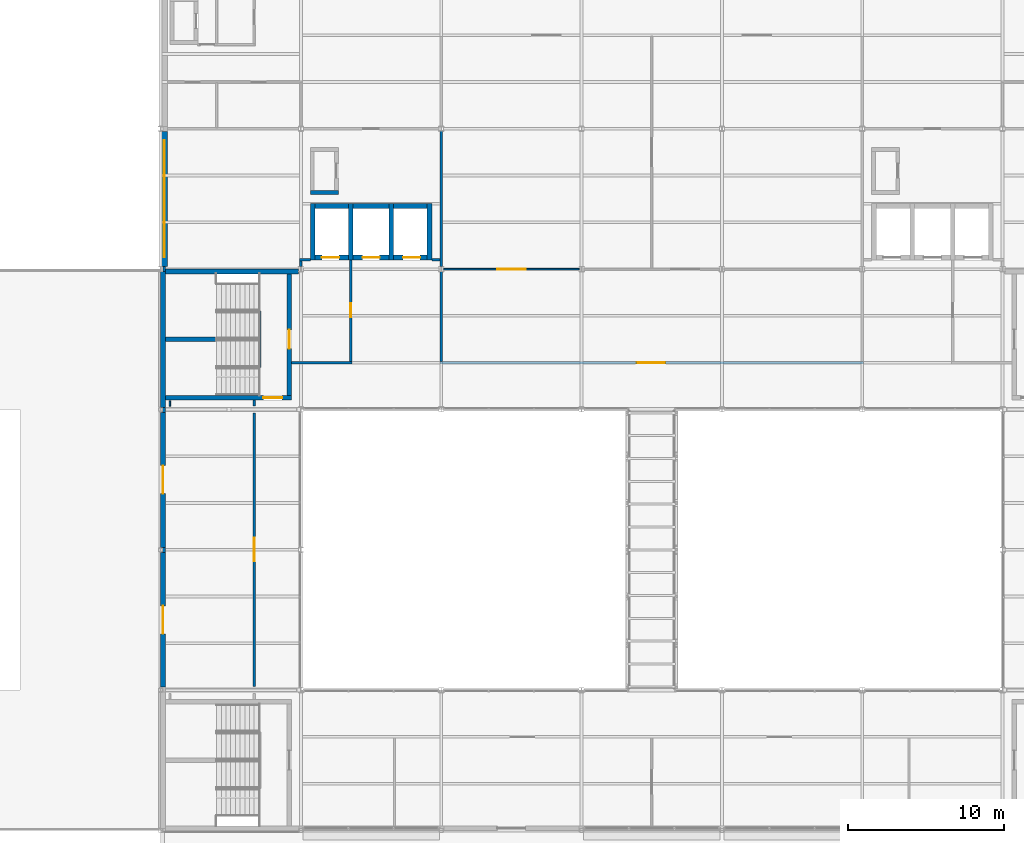
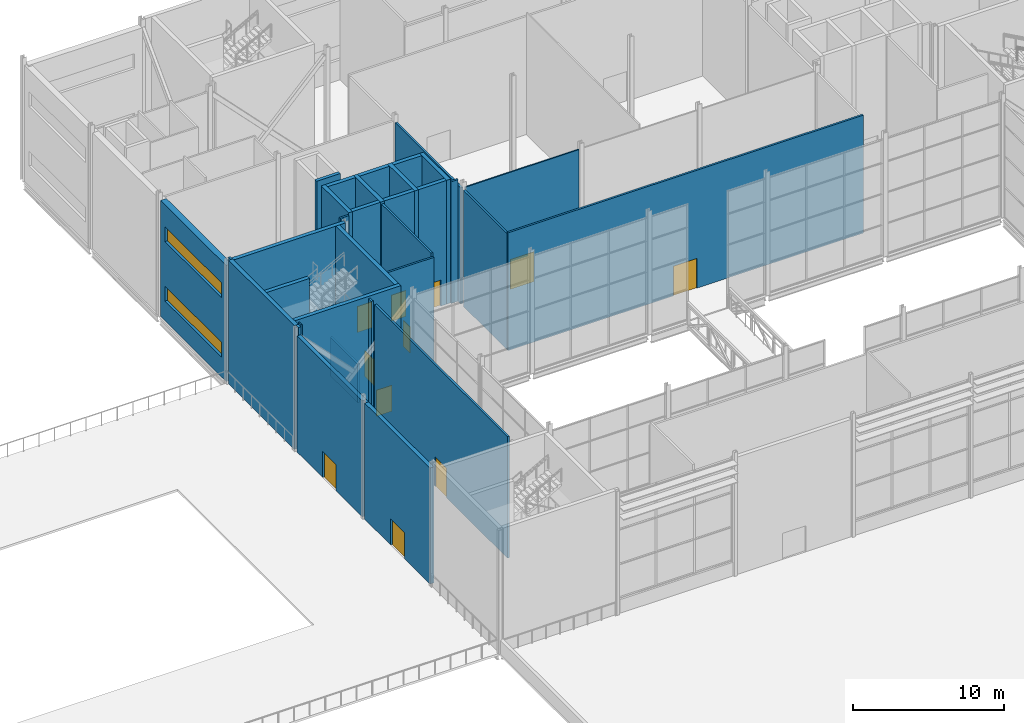
# One storey, part 89 of 111: 35 walls, 11 doors, 2 windows, 13 openings.
"""IFC4 building model written with IfcOpenShell, lengths in metres."""

from ifc_helpers import new_model, si_unit, direction, frame, frame_2d, origin, place, context, subcontext, project, spatial, rectangle, extrude, material, layer, layer_set, type_object, element, fill, save


model = new_model("IFC4")

# Units and contexts
model_context = context("Model", 3, precision=1e-05, world=origin(), true_north=direction((0.0, 1.0)))
body_context = subcontext(model_context, "Body", "Model", "MODEL_VIEW")
ifc_project = project(units=[si_unit("LENGTHUNIT", "METRE"), si_unit("AREAUNIT", "SQUARE_METRE"), si_unit("VOLUMEUNIT", "CUBIC_METRE"), si_unit("PLANEANGLEUNIT", "RADIAN"), si_unit("MASSUNIT", "GRAM", prefix="KILO")], contexts=[model_context])

# Site, building, storey
site_placement = place(None, origin())
site = spatial("IfcSite", under=ifc_project, at=site_placement, CompositionType="ELEMENT")
building_placement = place(site_placement, origin())
building = spatial("IfcBuilding", under=site, at=building_placement, Name="Shorebreak Coast Museum", CompositionType="ELEMENT")
storey_placement = place(building_placement, frame((0.0, 0.0, 16.0)))
storey = spatial("IfcBuildingStorey", under=building, at=storey_placement, Name="L03", CompositionType="ELEMENT", Elevation=16.0)

# Walls
ifc_material_1 = material(Name="Concrete N50 (50 MPa)", Category="concrete")
ifc_layer_1 = layer(ifc_material_1, 0.14453125)
ifc_layer_set_1 = layer_set([ifc_layer_1], Name="Concrete N50 (50 MPa)")
wall_type_1 = type_object("IfcWallType", Name="Column closure panel 144", PredefinedType="SOLIDWALL", material=ifc_layer_set_1)
wall_1_placement = place(storey_placement, frame((54.227783203125, 89.83642578125, 0.0), z_axis=(0.0, 0.0, 1.0), x_axis=(0.0, 1.0, 0.0)))
element("IfcWall", 1, at=wall_1_placement, inside=storey, type_object=wall_type_1, Name="Column closure panel L03 W 7L", PredefinedType="SOLIDWALL", context=body_context, shape_type="SweptSolid", body=[
    extrude(rectangle(XDim=0.3271484375, YDim=0.14453125, at=frame_2d((0.16357421875, 0.0))), origin(), (0.0, 0.0, 1.0), 10.0),
])
ifc_material_2 = material(Name="Concrete N50 (50 MPa)", Category="concrete")
ifc_layer_2 = layer(ifc_material_2, 0.175048828125)
ifc_layer_set_2 = layer_set([ifc_layer_2], Name="Concrete N50 (50 MPa)")
wall_type_2 = type_object("IfcWallType", Name="Column closure panel 175", PredefinedType="SOLIDWALL", material=ifc_layer_set_2)
wall_2_placement = place(storey_placement, frame((54.21240234375, 71.839111328125, 0.0), z_axis=(0.0, 0.0, 1.0), x_axis=(0.0, 1.0, 0.0)))
element("IfcWall", 2, at=wall_2_placement, inside=storey, type_object=wall_type_2, Name="Column closure panel L03 W 7J", PredefinedType="SOLIDWALL", context=body_context, shape_type="SweptSolid", body=[
    extrude(rectangle(XDim=0.32177734375, YDim=0.175048828125, at=frame_2d((0.160888671875, 0.0))), origin(), (0.0, 0.0, 1.0), 9.37109375),
])
wall_3_placement = place(storey_placement, frame((54.21240234375, 80.802978515625, 0.0), z_axis=(0.0, 0.0, 1.0), x_axis=(0.0, 1.0, 0.0)))
element("IfcWall", 3, at=wall_3_placement, inside=storey, type_object=wall_type_2, Name="Column closure panel L03 W 7K", PredefinedType="SOLIDWALL", context=body_context, shape_type="SweptSolid", body=[
    extrude(rectangle(XDim=0.322021484375, YDim=0.175048828125, at=frame_2d((0.1611328125, 0.0))), origin(), (0.0, 0.0, 1.0), 10.0),
])

# Wall, openings, windows
ifc_material_3 = material(Name="Concrete N50 (50 MPa)", Category="concrete")
ifc_layer_3 = layer(ifc_material_3, 0.449951171875)
ifc_layer_set_3 = layer_set([ifc_layer_3], Name="Concrete N50 (50 MPa)")
wall_type_3 = type_object("IfcWallType", Name="Deep-set precast panel 450", PredefinedType="SOLIDWALL", material=ifc_layer_set_3)
wall_4_placement = place(storey_placement, frame((54.22509765625, 90.16357421875, 0.0), z_axis=(0.0, 0.0, 1.0), x_axis=(0.0, 1.0, 0.0)))
wall_4 = element("IfcWall", 4, at=wall_4_placement, inside=storey, type_object=wall_type_3, Name="External wall L03 W 7L", PredefinedType="SOLIDWALL", context=body_context, shape_type="SweptSolid", body=[
    extrude(rectangle(XDim=8.675537109375, YDim=0.449951171875, at=frame_2d((4.337890625, 0.0))), origin(), (0.0, 0.0, 1.0), 9.37109375),
])
opening_1_placement = place(wall_4_placement, frame((0.58642578125, 0.0, 6.39990234375)))
opening_1 = element("IfcOpeningElement", 5, at=opening_1_placement, cuts=wall_4, Name="Opening WN3043", PredefinedType="OPENING", context=body_context, shape_type="SweptSolid", body=[
    extrude(rectangle(XDim=7.5, YDim=1.199951171875, at=frame_2d((3.75, 0.60009765625))), frame((0.0, 0.23486328125, 0.0), z_axis=(0.0, -1.0, 0.0), x_axis=(1.0, 0.0, 0.0)), (0.0, 0.0, 1.0), 0.469970703125),
])
opening_2_placement = place(wall_4_placement, frame((0.58642578125, 0.0, 1.60009765625)))
opening_2 = element("IfcOpeningElement", 6, at=opening_2_placement, cuts=wall_4, Name="Opening WN3042", PredefinedType="OPENING", context=body_context, shape_type="SweptSolid", body=[
    extrude(rectangle(XDim=7.5, YDim=1.199951171875, at=frame_2d((3.75, 0.60009765625))), frame((0.0, 0.23486328125, 0.0), z_axis=(0.0, -1.0, 0.0), x_axis=(1.0, 0.0, 0.0)), (0.0, 0.0, 1.0), 0.469970703125),
])
ifc_material_4 = material(Name="Aluminium", Category="aluminium")
window_type_1 = type_object("IfcWindowType", Name="Ribbon window 7500 x 1200", PartitioningType="SINGLE_PANEL", PredefinedType="WINDOW", material=ifc_material_4)
window_1_placement = place(opening_2_placement, origin())
window_1 = element("IfcWindow", 7, at=window_1_placement, inside=storey, type_object=window_type_1, Name="Window WN3042", OverallHeight=1.199951171875, OverallWidth=7.5, PartitioningType="SINGLE_PANEL", PredefinedType="WINDOW", context=body_context, shape_type="SweptSolid", body=[
    extrude(rectangle(XDim=7.5, YDim=1.199951171875, at=frame_2d((3.75, 0.60009765625))), frame((0.0, 0.030029296875, 0.0), z_axis=(0.0, -1.0, 0.0), x_axis=(1.0, 0.0, 0.0)), (0.0, 0.0, 1.0), 0.06005859375),
])
fill(opening_2, window_1)
ifc_material_5 = material(Name="Aluminium", Category="aluminium")
window_type_2 = type_object("IfcWindowType", Name="Upper ribbon window 7500 x 1200", PartitioningType="SINGLE_PANEL", PredefinedType="WINDOW", material=ifc_material_5)
window_2_placement = place(opening_1_placement, origin())
window_2 = element("IfcWindow", 8, at=window_2_placement, inside=storey, type_object=window_type_2, Name="Window WN3043", OverallHeight=1.199951171875, OverallWidth=7.5, PartitioningType="SINGLE_PANEL", PredefinedType="WINDOW", context=body_context, shape_type="SweptSolid", body=[
    extrude(rectangle(XDim=7.5, YDim=1.199951171875, at=frame_2d((3.75, 0.60009765625))), frame((0.0, 0.030029296875, 0.0), z_axis=(0.0, -1.0, 0.0), x_axis=(1.0, 0.0, 0.0)), (0.0, 0.0, 1.0), 0.06005859375),
])
fill(opening_1, window_2)

# Wall
ifc_material_6 = material(Name="Plasterboard on steel stud", Category="steel")
ifc_layer_4 = layer(ifc_material_6, 0.14990234375)
ifc_layer_set_4 = layer_set([ifc_layer_4], Name="Plasterboard on steel stud")
wall_type_4 = type_object("IfcWallType", Name="Fire partition 150", PredefinedType="PARTITIONING", material=ifc_layer_set_4)
wall_5_placement = place(storey_placement, frame((62.39990234375, 84.0, 0.0), z_axis=(0.0, 0.0, 1.0), x_axis=(1.0, 0.0, 0.0)))
element("IfcWall", 9, at=wall_5_placement, inside=storey, type_object=wall_type_4, Name="Partition L03-016", PredefinedType="PARTITIONING", context=body_context, shape_type="SweptSolid", body=[
    extrude(rectangle(XDim=3.875, YDim=0.14990234375, at=frame_2d((1.9375, 0.0))), origin(), (0.0, 0.0, 1.0), 9.52099609375),
])

# Wall, opening, door
wall_6_placement = place(storey_placement, frame((71.925048828125, 84.0, 0.0), z_axis=(0.0, 0.0, 1.0), x_axis=(1.0, 0.0, 0.0)))
wall_6 = element("IfcWall", 10, at=wall_6_placement, inside=storey, type_object=wall_type_4, Name="Partition L03-017", PredefinedType="PARTITIONING", context=body_context, shape_type="SweptSolid", body=[
    extrude(rectangle(XDim=27.14990234375, YDim=0.14990234375, at=frame_2d((13.574951171875, 0.0))), origin(), (0.0, 0.0, 1.0), 9.52099609375),
])
opening_3_placement = place(wall_6_placement, frame((12.625, 0.0, 0.0)))
opening_3 = element("IfcOpeningElement", 11, at=opening_3_placement, cuts=wall_6, Name="Opening D3005", PredefinedType="OPENING", context=body_context, shape_type="SweptSolid", body=[
    extrude(rectangle(XDim=1.800048828125, YDim=2.39990234375, at=frame_2d((0.89990234375, 1.199951171875))), frame((0.0, 0.0849609375, 0.0), z_axis=(0.0, -1.0, 0.0), x_axis=(1.0, 0.0, 0.0)), (0.0, 0.0, 1.0), 0.169921875),
])
ifc_material_7 = material(Name="Steel", Category="steel")
door_type_1 = type_object("IfcDoorType", Name="Fire door 1800x2400 60", OperationType="DOUBLE_DOOR_SINGLE_SWING", PredefinedType="DOOR", material=ifc_material_7)
door_1_placement = place(opening_3_placement, origin())
door_1 = element("IfcDoor", 12, at=door_1_placement, inside=storey, type_object=door_type_1, Name="Door D3005 Permanent Gallery 3.01", OperationType="DOUBLE_DOOR_SINGLE_SWING", OverallHeight=2.39990234375, OverallWidth=1.800048828125, PredefinedType="DOOR", context=body_context, shape_type="SweptSolid", body=[
    extrude(rectangle(XDim=1.800048828125, YDim=2.39990234375, at=frame_2d((0.89990234375, 1.199951171875))), frame((0.0, 0.02490234375, 0.0), z_axis=(0.0, -1.0, 0.0), x_axis=(1.0, 0.0, 0.0)), (0.0, 0.0, 1.0), 0.050048828125),
])
fill(opening_3, door_1)

# Walls
wall_7_placement = place(storey_placement, frame((62.925048828125, 90.60009765625, 0.0), z_axis=(0.0, 0.0, 1.0), x_axis=(1.0, 0.0, 0.0)))
element("IfcWall", 13, at=wall_7_placement, inside=storey, type_object=wall_type_4, Name="Partition L03-022", PredefinedType="PARTITIONING", context=body_context, shape_type="SweptSolid", body=[
    extrude(rectangle(XDim=0.675048828125, YDim=0.14990234375, at=frame_2d((0.33740234375, 0.0))), origin(), (0.0, 0.0, 1.0), 9.824951171875),
])
wall_8_placement = place(storey_placement, frame((71.39990234375, 90.60009765625, 0.0), z_axis=(0.0, 0.0, 1.0), x_axis=(1.0, 0.0, 0.0)))
element("IfcWall", 14, at=wall_8_placement, inside=storey, type_object=wall_type_4, Name="Partition L03-023", PredefinedType="PARTITIONING", context=body_context, shape_type="SweptSolid", body=[
    extrude(rectangle(XDim=0.525146484375, YDim=0.14990234375, at=frame_2d((0.2626953125, 0.0))), origin(), (0.0, 0.0, 1.0), 9.824951171875),
])

# Wall, opening, door
wall_9_placement = place(storey_placement, frame((60.0, 63.219970703125, 0.0), z_axis=(0.0, 0.0, 1.0), x_axis=(0.0, 1.0, 0.0)))
wall_9 = element("IfcWall", 15, at=wall_9_placement, inside=storey, type_object=wall_type_4, Name="Partition L03-045", PredefinedType="PARTITIONING", context=body_context, shape_type="SweptSolid", body=[
    extrude(rectangle(XDim=17.56005859375, YDim=0.14990234375, at=frame_2d((8.780029296875, 0.0))), origin(), (0.0, 0.0, 1.0), 9.824951171875),
])
opening_4_placement = place(wall_9_placement, frame((8.050048828125, 0.0, 0.0)))
opening_4 = element("IfcOpeningElement", 16, at=opening_4_placement, cuts=wall_9, Name="Opening D3006", PredefinedType="OPENING", context=body_context, shape_type="SweptSolid", body=[
    extrude(rectangle(XDim=1.5, YDim=2.39990234375, at=frame_2d((0.75, 1.199951171875))), frame((0.0, 0.0849609375, 0.0), z_axis=(0.0, -1.0, 0.0), x_axis=(1.0, 0.0, 0.0)), (0.0, 0.0, 1.0), 0.169921875),
])
ifc_material_8 = material(Name="Steel", Category="steel")
door_type_2 = type_object("IfcDoorType", Name="Fire door 1500x2400 60", OperationType="DOUBLE_DOOR_SINGLE_SWING", PredefinedType="DOOR", material=ifc_material_8)
door_2_placement = place(opening_4_placement, origin())
door_2 = element("IfcDoor", 17, at=door_2_placement, inside=storey, type_object=door_type_2, Name="Door D3006 Family Gallery", OperationType="DOUBLE_DOOR_SINGLE_SWING", OverallHeight=2.39990234375, OverallWidth=1.5, PredefinedType="DOOR", context=body_context, shape_type="SweptSolid", body=[
    extrude(rectangle(XDim=1.5, YDim=2.39990234375, at=frame_2d((0.75, 1.199951171875))), frame((0.0, 0.02490234375, 0.0), z_axis=(0.0, -1.0, 0.0), x_axis=(1.0, 0.0, 0.0)), (0.0, 0.0, 1.0), 0.050048828125),
])
fill(opening_4, door_2)

# Walls
wall_10_placement = place(storey_placement, frame((60.0, 81.219970703125, 0.0), z_axis=(0.0, 0.0, 1.0), x_axis=(0.0, 1.0, 0.0)))
element("IfcWall", 18, at=wall_10_placement, inside=storey, type_object=wall_type_4, Name="Partition L03-046", PredefinedType="PARTITIONING", context=body_context, shape_type="SweptSolid", body=[
    extrude(rectangle(XDim=0.380126953125, YDim=0.14990234375, at=frame_2d((0.18994140625, 0.0))), origin(), (0.0, 0.0, 1.0), 9.824951171875),
])
wall_11_placement = place(storey_placement, frame((63.0, 90.16357421875, 0.0), z_axis=(0.0, 0.0, 1.0), x_axis=(0.0, 1.0, 0.0)))
element("IfcWall", 19, at=wall_11_placement, inside=storey, type_object=wall_type_4, Name="Partition L03-048", PredefinedType="PARTITIONING", context=body_context, shape_type="SweptSolid", body=[
    extrude(rectangle(XDim=0.361328125, YDim=0.14990234375, at=frame_2d((0.1806640625, 0.0))), origin(), (0.0, 0.0, 1.0), 9.824951171875),
])

# Wall, opening, door
wall_12_placement = place(storey_placement, frame((66.199951171875, 84.074951171875, 0.0), z_axis=(0.0, 0.0, 1.0), x_axis=(0.0, 1.0, 0.0)))
wall_12 = element("IfcWall", 20, at=wall_12_placement, inside=storey, type_object=wall_type_4, Name="Partition L03-051", PredefinedType="PARTITIONING", context=body_context, shape_type="SweptSolid", body=[
    extrude(rectangle(XDim=6.525146484375, YDim=0.14990234375, at=frame_2d((3.2626953125, 0.0))), origin(), (0.0, 0.0, 1.0), 9.824951171875),
])
opening_5_placement = place(wall_12_placement, frame((2.85009765625, 0.0, 0.0)))
opening_5 = element("IfcOpeningElement", 21, at=opening_5_placement, cuts=wall_12, Name="Opening D3001", PredefinedType="OPENING", context=body_context, shape_type="SweptSolid", body=[
    extrude(rectangle(XDim=0.89990234375, YDim=2.10009765625, at=frame_2d((0.449951171875, 1.050048828125))), frame((0.0, 0.0849609375, 0.0), z_axis=(0.0, -1.0, 0.0), x_axis=(1.0, 0.0, 0.0)), (0.0, 0.0, 1.0), 0.169921875),
])
ifc_material_9 = material(Name="Steel", Category="steel")
door_type_3 = type_object("IfcDoorType", Name="Fire door 900x2100 60", OperationType="SINGLE_SWING_LEFT", PredefinedType="DOOR", material=ifc_material_9)
door_3_placement = place(opening_5_placement, origin())
door_3 = element("IfcDoor", 22, at=door_3_placement, inside=storey, type_object=door_type_3, Name="Door D3001 Firefighting Lift Lobby W", OperationType="SINGLE_SWING_LEFT", OverallHeight=2.10009765625, OverallWidth=0.89990234375, PredefinedType="DOOR", context=body_context, shape_type="SweptSolid", body=[
    extrude(rectangle(XDim=0.89990234375, YDim=2.10009765625, at=frame_2d((0.449951171875, 1.050048828125))), frame((0.0, 0.02490234375, 0.0), z_axis=(0.0, -1.0, 0.0), x_axis=(1.0, 0.0, 0.0)), (0.0, 0.0, 1.0), 0.050048828125),
])
fill(opening_5, door_3)

# Walls
wall_13_placement = place(storey_placement, frame((72.0, 84.074951171875, 0.0), z_axis=(0.0, 0.0, 1.0), x_axis=(0.0, 1.0, 0.0)))
element("IfcWall", 23, at=wall_13_placement, inside=storey, type_object=wall_type_4, Name="Partition L03-053", PredefinedType="PARTITIONING", context=body_context, shape_type="SweptSolid", body=[
    extrude(rectangle(XDim=5.761474609375, YDim=0.14990234375, at=frame_2d((2.880859375, 0.0))), origin(), (0.0, 0.0, 1.0), 9.37109375),
])
wall_14_placement = place(storey_placement, frame((72.0, 90.16357421875, 0.0), z_axis=(0.0, 0.0, 1.0), x_axis=(0.0, 1.0, 0.0)))
element("IfcWall", 24, at=wall_14_placement, inside=storey, type_object=wall_type_4, Name="Partition L03-054", PredefinedType="PARTITIONING", context=body_context, shape_type="SweptSolid", body=[
    extrude(rectangle(XDim=8.682373046875, YDim=0.14990234375, at=frame_2d((4.34130859375, 0.0))), origin(), (0.0, 0.0, 1.0), 9.37109375),
])

# Wall, opening, door
ifc_material_10 = material(Name="Plasterboard on steel stud", Category="steel")
ifc_layer_5 = layer(ifc_material_10, 0.10009765625)
ifc_layer_set_5 = layer_set([ifc_layer_5], Name="Plasterboard on steel stud")
wall_type_5 = type_object("IfcWallType", Name="Partition 100", PredefinedType="PARTITIONING", material=ifc_layer_set_5)
wall_15_placement = place(storey_placement, frame((72.155517578125, 90.0, 0.0), z_axis=(0.0, 0.0, 1.0), x_axis=(1.0, 0.0, 0.0)))
wall_15 = element("IfcWall", 25, at=wall_15_placement, inside=storey, type_object=wall_type_5, Name="Partition L03-019", PredefinedType="PARTITIONING", context=body_context, shape_type="SweptSolid", body=[
    extrude(rectangle(XDim=8.68896484375, YDim=0.10009765625, at=frame_2d((4.344482421875, 0.0))), origin(), (0.0, 0.0, 1.0), 9.472900390625),
])
opening_6_placement = place(wall_15_placement, frame((3.449951171875, 0.0, 0.0)))
opening_6 = element("IfcOpeningElement", 26, at=opening_6_placement, cuts=wall_15, Name="Opening D3031", PredefinedType="OPENING", context=body_context, shape_type="SweptSolid", body=[
    extrude(rectangle(XDim=1.800048828125, YDim=2.39990234375, at=frame_2d((0.89990234375, 1.199951171875))), frame((0.0, 0.06005859375, 0.0), z_axis=(0.0, -1.0, 0.0), x_axis=(1.0, 0.0, 0.0)), (0.0, 0.0, 1.0), 0.1201171875),
])
ifc_material_11 = material(Name="Timber", Category="wood")
door_type_4 = type_object("IfcDoorType", Name="Interior door 1800x2400", OperationType="DOUBLE_DOOR_SINGLE_SWING", PredefinedType="DOOR", material=ifc_material_11)
door_4_placement = place(opening_6_placement, origin())
door_4 = element("IfcDoor", 27, at=door_4_placement, inside=storey, type_object=door_type_4, Name="Door D3031 Permanent Gallery 3.01", OperationType="DOUBLE_DOOR_SINGLE_SWING", OverallHeight=2.39990234375, OverallWidth=1.800048828125, PredefinedType="DOOR", context=body_context, shape_type="SweptSolid", body=[
    extrude(rectangle(XDim=1.800048828125, YDim=2.39990234375, at=frame_2d((0.89990234375, 1.199951171875))), frame((0.0, 0.02490234375, 0.0), z_axis=(0.0, -1.0, 0.0), x_axis=(1.0, 0.0, 0.0)), (0.0, 0.0, 1.0), 0.050048828125),
])
fill(opening_6, door_4)

# Wall
wall_16_placement = place(storey_placement, frame((54.60009765625, 81.219970703125, 0.0), z_axis=(0.0, 0.0, 1.0), x_axis=(0.0, 1.0, 0.0)))
element("IfcWall", 28, at=wall_16_placement, inside=storey, type_object=wall_type_5, Name="Partition L03-041", PredefinedType="PARTITIONING", context=body_context, shape_type="SweptSolid", body=[
    extrude(rectangle(XDim=0.330078125, YDim=0.10009765625, at=frame_2d((0.1650390625, 0.0))), origin(), (0.0, 0.0, 1.0), 9.824951171875),
])

# Wall, opening, door
ifc_material_12 = material(Name="Concrete N50 (50 MPa)", Category="concrete")
ifc_layer_6 = layer(ifc_material_12, 0.300048828125)
ifc_layer_set_6 = layer_set([ifc_layer_6], Name="Concrete N50 (50 MPa)")
wall_type_6 = type_object("IfcWallType", Name="Precast board-marked panel 300", PredefinedType="SOLIDWALL", material=ifc_layer_set_6)
wall_17_placement = place(storey_placement, frame((54.14990234375, 63.197021484375, 0.0), z_axis=(0.0, 0.0, 1.0), x_axis=(0.0, 1.0, 0.0)))
wall_17 = element("IfcWall", 29, at=wall_17_placement, inside=storey, type_object=wall_type_6, Name="External wall L03 W 7H", PredefinedType="SOLIDWALL", context=body_context, shape_type="SweptSolid", body=[
    extrude(rectangle(XDim=8.64208984375, YDim=0.300048828125, at=frame_2d((4.321044921875, 0.0))), origin(), (0.0, 0.0, 1.0), 9.37109375),
])
opening_7_placement = place(wall_17_placement, frame((3.403076171875, 0.0, 0.0)))
opening_7 = element("IfcOpeningElement", 30, at=opening_7_placement, cuts=wall_17, Name="Opening D0916", PredefinedType="OPENING", context=body_context, shape_type="SweptSolid", body=[
    extrude(rectangle(XDim=1.800048828125, YDim=2.10009765625, at=frame_2d((0.89990234375, 1.050048828125))), frame((0.0, 0.159912109375, 0.0), z_axis=(0.0, -1.0, 0.0), x_axis=(1.0, 0.0, 0.0)), (0.0, 0.0, 1.0), 0.320068359375),
])
ifc_material_13 = material(Name="Aluminium", Category="aluminium")
door_type_5 = type_object("IfcDoorType", Name="Garden door pair 1800 x 2100", OperationType="DOUBLE_DOOR_SINGLE_SWING", PredefinedType="DOOR", material=ifc_material_13)
door_5_placement = place(opening_7_placement, origin())
door_5 = element("IfcDoor", 31, at=door_5_placement, inside=storey, type_object=door_type_5, Name="Garden door RG-W1 D0916", OperationType="DOUBLE_DOOR_SINGLE_SWING", OverallHeight=2.10009765625, OverallWidth=1.800048828125, PredefinedType="DOOR", context=body_context, shape_type="SweptSolid", body=[
    extrude(rectangle(XDim=1.800048828125, YDim=2.10009765625, at=frame_2d((0.89990234375, 1.050048828125))), frame((0.0, 0.02490234375, 0.0), z_axis=(0.0, -1.0, 0.0), x_axis=(1.0, 0.0, 0.0)), (0.0, 0.0, 1.0), 0.050048828125),
])
fill(opening_7, door_5)

wall_18_placement = place(storey_placement, frame((54.14990234375, 72.160888671875, 0.0), z_axis=(0.0, 0.0, 1.0), x_axis=(0.0, 1.0, 0.0)))
wall_18 = element("IfcWall", 32, at=wall_18_placement, inside=storey, type_object=wall_type_6, Name="External wall L03 W 7J", PredefinedType="SOLIDWALL", context=body_context, shape_type="SweptSolid", body=[
    extrude(rectangle(XDim=8.64208984375, YDim=0.300048828125, at=frame_2d((4.321044921875, 0.0))), origin(), (0.0, 0.0, 1.0), 9.37109375),
])
opening_8_placement = place(wall_18_placement, frame((3.43896484375, 0.0, 0.0)))
opening_8 = element("IfcOpeningElement", 33, at=opening_8_placement, cuts=wall_18, Name="Opening D0917", PredefinedType="OPENING", context=body_context, shape_type="SweptSolid", body=[
    extrude(rectangle(XDim=1.800048828125, YDim=2.10009765625, at=frame_2d((0.89990234375, 1.050048828125))), frame((0.0, 0.159912109375, 0.0), z_axis=(0.0, -1.0, 0.0), x_axis=(1.0, 0.0, 0.0)), (0.0, 0.0, 1.0), 0.320068359375),
])
door_6_placement = place(opening_8_placement, origin())
door_6 = element("IfcDoor", 34, at=door_6_placement, inside=storey, type_object=door_type_5, Name="Garden door RG-W2 D0917", OperationType="DOUBLE_DOOR_SINGLE_SWING", OverallHeight=2.10009765625, OverallWidth=1.800048828125, PredefinedType="DOOR", context=body_context, shape_type="SweptSolid", body=[
    extrude(rectangle(XDim=1.800048828125, YDim=2.10009765625, at=frame_2d((0.89990234375, 1.050048828125))), frame((0.0, 0.02490234375, 0.0), z_axis=(0.0, -1.0, 0.0), x_axis=(1.0, 0.0, 0.0)), (0.0, 0.0, 1.0), 0.050048828125),
])
fill(opening_8, door_6)

# Wall
ifc_material_14 = material(Name="Concrete N50 (50 MPa)", Category="concrete")
ifc_layer_7 = layer(ifc_material_14, 0.25)
ifc_layer_set_7 = layer_set([ifc_layer_7], Name="Concrete N50 (50 MPa)")
wall_type_7 = type_object("IfcWallType", Name="RC riser wall 250", PredefinedType="STANDARD", material=ifc_layer_set_7)
wall_19_placement = place(storey_placement, frame((63.60009765625, 94.925048828125, 0.0), z_axis=(0.0, 0.0, 1.0), x_axis=(1.0, 0.0, 0.0)))
element("IfcWall", 35, at=wall_19_placement, inside=storey, type_object=wall_type_7, Name="Riser wall R-LBW L03 S", PredefinedType="STANDARD", context=body_context, shape_type="SweptSolid", body=[
    extrude(rectangle(XDim=1.7998046875, YDim=0.25, at=frame_2d((0.89990234375, 0.0))), origin(), (0.0, 0.0, 1.0), 10.0),
])

# Wall, opening, door
ifc_material_15 = material(Name="Concrete N50 (50 MPa)", Category="concrete")
ifc_layer_8 = layer(ifc_material_15, 0.300048828125)
ifc_layer_set_8 = layer_set([ifc_layer_8], Name="Concrete N50 (50 MPa)")
wall_type_8 = type_object("IfcWallType", Name="RC wall 300", PredefinedType="SHEAR", material=ifc_layer_set_8)
wall_20_placement = place(storey_placement, frame((54.300048828125, 81.75, 0.0), z_axis=(0.0, 0.0, 1.0), x_axis=(1.0, 0.0, 0.0)))
wall_20 = element("IfcWall", 36, at=wall_20_placement, inside=storey, type_object=wall_type_8, Name="Stair core wall ST03 L03 S", PredefinedType="SHEAR", context=body_context, shape_type="SweptSolid", body=[
    extrude(rectangle(XDim=8.099853515625, YDim=0.300048828125, at=frame_2d((4.0498046875, 0.0))), origin(), (0.0, 0.0, 1.0), 10.0),
])
opening_9_placement = place(wall_20_placement, frame((6.300048828125, 0.0, 0.0)))
opening_9 = element("IfcOpeningElement", 37, at=opening_9_placement, cuts=wall_20, Name="Opening D3703", PredefinedType="OPENING", context=body_context, shape_type="SweptSolid", body=[
    extrude(rectangle(XDim=1.199951171875, YDim=2.10009765625, at=frame_2d((0.60009765625, 1.050048828125))), frame((0.0, 0.159912109375, 0.0), z_axis=(0.0, -1.0, 0.0), x_axis=(1.0, 0.0, 0.0)), (0.0, 0.0, 1.0), 0.320068359375),
])
ifc_material_16 = material(Name="Steel Grade 300", Category="steel")
door_type_6 = type_object("IfcDoorType", Name="Fire door 1200x2100", OperationType="SINGLE_SWING_LEFT", PredefinedType="DOOR", material=ifc_material_16)
door_7_placement = place(opening_9_placement, origin())
door_7 = element("IfcDoor", 38, at=door_7_placement, inside=storey, type_object=door_type_6, Name="Stair door ST03 L03 south", OperationType="SINGLE_SWING_LEFT", OverallHeight=2.10009765625, OverallWidth=1.199951171875, PredefinedType="DOOR", context=body_context, shape_type="SweptSolid", body=[
    extrude(rectangle(XDim=1.199951171875, YDim=2.10009765625, at=frame_2d((0.60009765625, 1.050048828125))), frame((0.0, 0.02490234375, 0.0), z_axis=(0.0, -1.0, 0.0), x_axis=(1.0, 0.0, 0.0)), (0.0, 0.0, 1.0), 0.050048828125),
])
fill(opening_9, door_7)

# Walls
wall_21_placement = place(storey_placement, frame((54.300048828125, 89.85009765625, 0.0), z_axis=(0.0, 0.0, 1.0), x_axis=(1.0, 0.0, 0.0)))
element("IfcWall", 39, at=wall_21_placement, inside=storey, type_object=wall_type_8, Name="Stair core wall ST03 L03 N", PredefinedType="SHEAR", context=body_context, shape_type="SweptSolid", body=[
    extrude(rectangle(XDim=8.54443359375, YDim=0.300048828125, at=frame_2d((4.272216796875, 0.0))), origin(), (0.0, 0.0, 1.0), 10.0),
])
wall_22_placement = place(storey_placement, frame((54.14990234375, 81.125, 0.0), z_axis=(0.0, 0.0, 1.0), x_axis=(0.0, 1.0, 0.0)))
element("IfcWall", 40, at=wall_22_placement, inside=storey, type_object=wall_type_8, Name="Stair core wall ST03 L03 W", PredefinedType="SHEAR", context=body_context, shape_type="SweptSolid", body=[
    extrude(rectangle(XDim=8.71142578125, YDim=0.300048828125, at=frame_2d((4.355712890625, 0.0))), origin(), (0.0, 0.0, 1.0), 10.0),
])

# Wall, opening, door
wall_23_placement = place(storey_placement, frame((62.25, 81.89990234375, 0.0), z_axis=(0.0, 0.0, 1.0), x_axis=(0.0, 1.0, 0.0)))
wall_23 = element("IfcWall", 41, at=wall_23_placement, inside=storey, type_object=wall_type_8, Name="Stair core wall ST03 L03 E", PredefinedType="SHEAR", context=body_context, shape_type="SweptSolid", body=[
    extrude(rectangle(XDim=7.800048828125, YDim=0.300048828125, at=frame_2d((3.89990234375, 0.0))), origin(), (0.0, 0.0, 1.0), 10.0),
])
opening_10_placement = place(wall_23_placement, frame((3.0, 0.0, 0.0)))
opening_10 = element("IfcOpeningElement", 42, at=opening_10_placement, cuts=wall_23, Name="Opening D3803", PredefinedType="OPENING", context=body_context, shape_type="SweptSolid", body=[
    extrude(rectangle(XDim=1.199951171875, YDim=2.10009765625, at=frame_2d((0.60009765625, 1.050048828125))), frame((0.0, 0.159912109375, 0.0), z_axis=(0.0, -1.0, 0.0), x_axis=(1.0, 0.0, 0.0)), (0.0, 0.0, 1.0), 0.320068359375),
])
door_8_placement = place(opening_10_placement, origin())
door_8 = element("IfcDoor", 43, at=door_8_placement, inside=storey, type_object=door_type_6, Name="Stair door ST03 L03", OperationType="SINGLE_SWING_RIGHT", OverallHeight=2.10009765625, OverallWidth=1.199951171875, PredefinedType="DOOR", context=body_context, shape_type="SweptSolid", body=[
    extrude(rectangle(XDim=1.199951171875, YDim=2.10009765625, at=frame_2d((0.60009765625, 1.050048828125))), frame((0.0, 0.02490234375, 0.0), z_axis=(0.0, -1.0, 0.0), x_axis=(1.0, 0.0, 0.0)), (0.0, 0.0, 1.0), 0.050048828125),
])
fill(opening_10, door_8)

# Walls
wall_24_placement = place(storey_placement, frame((57.60009765625, 85.5, 0.0), z_axis=(0.0, 0.0, 1.0), x_axis=(-1.0, 0.0, 0.0)))
element("IfcWall", 44, at=wall_24_placement, inside=storey, type_object=wall_type_8, Name="Stair spine wall ST03 L03", PredefinedType="SHEAR", context=body_context, shape_type="SweptSolid", body=[
    extrude(rectangle(XDim=3.300048828125, YDim=0.300048828125, at=frame_2d((1.64990234375, 0.0))), origin(), (0.0, 0.0, 1.0), 10.0),
])
for number, where, z_axis, x_axis, name in (
    (45, (63.75, 90.60009765625, 0.0), (0.0, 0.0, 1.0), (0.0, 1.0, 0.0), "Lift shaft wall LBW L03 1"),
    (46, (66.199951171875, 90.60009765625, 0.0), (0.0, 0.0, 1.0), (0.0, 1.0, 0.0), "Lift shaft wall LBW L03 2"),
    (47, (68.800048828125, 90.60009765625, 0.0), (0.0, 0.0, 1.0), (0.0, 1.0, 0.0), "Lift shaft wall LBW L03 3"),
    (48, (71.25, 90.60009765625, 0.0), (0.0, 0.0, 1.0), (0.0, 1.0, 0.0), "Lift shaft wall LBW L03 4"),
):
    element("IfcWall", number, at=place(storey_placement, frame(where, z_axis=z_axis, x_axis=x_axis)), inside=storey, type_object=wall_type_8, Name=name, PredefinedType="SHEAR", context=body_context, shape_type="SweptSolid", body=[
        extrude(rectangle(XDim=3.599853515625, YDim=0.300048828125, at=frame_2d((1.7998046875, 0.0))), origin(), (0.0, 0.0, 1.0), 10.0),
    ])

# Wall, opening, door
wall_25_placement = place(storey_placement, frame((63.89990234375, 90.75, 0.0), z_axis=(0.0, 0.0, 1.0), x_axis=(1.0, 0.0, 0.0)))
wall_25 = element("IfcWall", 49, at=wall_25_placement, inside=storey, type_object=wall_type_8, Name="Lift shaft wall FL1 L03 F", PredefinedType="SHEAR", context=body_context, shape_type="SweptSolid", body=[
    extrude(rectangle(XDim=2.150146484375, YDim=0.300048828125, at=frame_2d((1.0751953125, 0.0))), origin(), (0.0, 0.0, 1.0), 10.0),
])
opening_11_placement = place(wall_25_placement, frame((0.449951171875, 0.0, 0.0)))
opening_11 = element("IfcOpeningElement", 50, at=opening_11_placement, cuts=wall_25, Name="Opening LD3-FL1", PredefinedType="OPENING", context=body_context, shape_type="SweptSolid", body=[
    extrude(rectangle(XDim=1.10009765625, YDim=2.10009765625, at=frame_2d((0.550048828125, 1.050048828125))), frame((0.0, 0.159912109375, 0.0), z_axis=(0.0, -1.0, 0.0), x_axis=(1.0, 0.0, 0.0)), (0.0, 0.0, 1.0), 0.320068359375),
])
ifc_material_17 = material(Name="Steel Grade 300", Category="steel")
door_type_7 = type_object("IfcDoorType", Name="Landing door 1100x2100", OperationType="DOUBLE_DOOR_SLIDING", PredefinedType="DOOR", material=ifc_material_17)
door_9_placement = place(opening_11_placement, origin())
door_9 = element("IfcDoor", 51, at=door_9_placement, inside=storey, type_object=door_type_7, Name="Landing door FL1 L03", OperationType="DOUBLE_DOOR_SLIDING", OverallHeight=2.10009765625, OverallWidth=1.10009765625, PredefinedType="DOOR", context=body_context, shape_type="SweptSolid", body=[
    extrude(rectangle(XDim=1.10009765625, YDim=2.10009765625, at=frame_2d((0.550048828125, 1.050048828125))), frame((0.0, 0.02490234375, 0.0), z_axis=(0.0, -1.0, 0.0), x_axis=(1.0, 0.0, 0.0)), (0.0, 0.0, 1.0), 0.050048828125),
])
fill(opening_11, door_9)

# Wall
wall_26_placement = place(storey_placement, frame((63.89990234375, 94.050048828125, 0.0), z_axis=(0.0, 0.0, 1.0), x_axis=(1.0, 0.0, 0.0)))
element("IfcWall", 52, at=wall_26_placement, inside=storey, type_object=wall_type_8, Name="Lift shaft wall FL1 L03 B", PredefinedType="SHEAR", context=body_context, shape_type="SweptSolid", body=[
    extrude(rectangle(XDim=2.150146484375, YDim=0.300048828125, at=frame_2d((1.0751953125, 0.0))), origin(), (0.0, 0.0, 1.0), 10.0),
])

# Wall, opening, door
wall_27_placement = place(storey_placement, frame((66.35009765625, 90.75, 0.0), z_axis=(0.0, 0.0, 1.0), x_axis=(1.0, 0.0, 0.0)))
wall_27 = element("IfcWall", 53, at=wall_27_placement, inside=storey, type_object=wall_type_8, Name="Lift shaft wall P1 L03 F", PredefinedType="SHEAR", context=body_context, shape_type="SweptSolid", body=[
    extrude(rectangle(XDim=2.2998046875, YDim=0.300048828125, at=frame_2d((1.14990234375, 0.0))), origin(), (0.0, 0.0, 1.0), 10.0),
])
opening_12_placement = place(wall_27_placement, frame((0.60009765625, 0.0, 0.0)))
opening_12 = element("IfcOpeningElement", 54, at=opening_12_placement, cuts=wall_27, Name="Opening LD3-P1", PredefinedType="OPENING", context=body_context, shape_type="SweptSolid", body=[
    extrude(rectangle(XDim=1.10009765625, YDim=2.10009765625, at=frame_2d((0.550048828125, 1.050048828125))), frame((0.0, 0.159912109375, 0.0), z_axis=(0.0, -1.0, 0.0), x_axis=(1.0, 0.0, 0.0)), (0.0, 0.0, 1.0), 0.320068359375),
])
door_10_placement = place(opening_12_placement, origin())
door_10 = element("IfcDoor", 55, at=door_10_placement, inside=storey, type_object=door_type_7, Name="Landing door P1 L03", OperationType="DOUBLE_DOOR_SLIDING", OverallHeight=2.10009765625, OverallWidth=1.10009765625, PredefinedType="DOOR", context=body_context, shape_type="SweptSolid", body=[
    extrude(rectangle(XDim=1.10009765625, YDim=2.10009765625, at=frame_2d((0.550048828125, 1.050048828125))), frame((0.0, 0.02490234375, 0.0), z_axis=(0.0, -1.0, 0.0), x_axis=(1.0, 0.0, 0.0)), (0.0, 0.0, 1.0), 0.050048828125),
])
fill(opening_12, door_10)

# Wall
wall_28_placement = place(storey_placement, frame((66.35009765625, 94.050048828125, 0.0), z_axis=(0.0, 0.0, 1.0), x_axis=(1.0, 0.0, 0.0)))
element("IfcWall", 56, at=wall_28_placement, inside=storey, type_object=wall_type_8, Name="Lift shaft wall P1 L03 B", PredefinedType="SHEAR", context=body_context, shape_type="SweptSolid", body=[
    extrude(rectangle(XDim=2.2998046875, YDim=0.300048828125, at=frame_2d((1.14990234375, 0.0))), origin(), (0.0, 0.0, 1.0), 10.0),
])

# Wall, opening, door
wall_29_placement = place(storey_placement, frame((68.949951171875, 90.75, 0.0), z_axis=(0.0, 0.0, 1.0), x_axis=(1.0, 0.0, 0.0)))
wall_29 = element("IfcWall", 57, at=wall_29_placement, inside=storey, type_object=wall_type_8, Name="Lift shaft wall P2 L03 F", PredefinedType="SHEAR", context=body_context, shape_type="SweptSolid", body=[
    extrude(rectangle(XDim=2.150146484375, YDim=0.300048828125, at=frame_2d((1.0751953125, 0.0))), origin(), (0.0, 0.0, 1.0), 10.0),
])
opening_13_placement = place(wall_29_placement, frame((0.60009765625, 0.0, 0.0)))
opening_13 = element("IfcOpeningElement", 58, at=opening_13_placement, cuts=wall_29, Name="Opening LD3-P2", PredefinedType="OPENING", context=body_context, shape_type="SweptSolid", body=[
    extrude(rectangle(XDim=1.10009765625, YDim=2.10009765625, at=frame_2d((0.550048828125, 1.050048828125))), frame((0.0, 0.159912109375, 0.0), z_axis=(0.0, -1.0, 0.0), x_axis=(1.0, 0.0, 0.0)), (0.0, 0.0, 1.0), 0.320068359375),
])
door_11_placement = place(opening_13_placement, origin())
door_11 = element("IfcDoor", 59, at=door_11_placement, inside=storey, type_object=door_type_7, Name="Landing door P2 L03", OperationType="DOUBLE_DOOR_SLIDING", OverallHeight=2.10009765625, OverallWidth=1.10009765625, PredefinedType="DOOR", context=body_context, shape_type="SweptSolid", body=[
    extrude(rectangle(XDim=1.10009765625, YDim=2.10009765625, at=frame_2d((0.550048828125, 1.050048828125))), frame((0.0, 0.02490234375, 0.0), z_axis=(0.0, -1.0, 0.0), x_axis=(1.0, 0.0, 0.0)), (0.0, 0.0, 1.0), 0.050048828125),
])
fill(opening_13, door_11)

# Walls
wall_30_placement = place(storey_placement, frame((68.949951171875, 94.050048828125, 0.0), z_axis=(0.0, 0.0, 1.0), x_axis=(1.0, 0.0, 0.0)))
element("IfcWall", 60, at=wall_30_placement, inside=storey, type_object=wall_type_8, Name="Lift shaft wall P2 L03 B", PredefinedType="SHEAR", context=body_context, shape_type="SweptSolid", body=[
    extrude(rectangle(XDim=2.150146484375, YDim=0.300048828125, at=frame_2d((1.0751953125, 0.0))), origin(), (0.0, 0.0, 1.0), 10.0),
])
ifc_material_18 = material(Name="Concrete N50 (50 MPa)", Category="concrete")
ifc_layer_9 = layer(ifc_material_18, 0.14990234375)
ifc_layer_set_9 = layer_set([ifc_layer_9], Name="Concrete N50 (50 MPa)")
wall_type_9 = type_object("IfcWallType", Name="Understair wall 150", PredefinedType="STANDARD", material=ifc_layer_set_9)
wall_31_placement = place(storey_placement, frame((60.375, 83.699951171875, 0.0), z_axis=(0.0, 0.0, 1.0), x_axis=(0.0, 1.0, 0.0)))
element("IfcWall", 61, at=wall_31_placement, inside=storey, type_object=wall_type_9, Name="Understair wall ST03 L03 floor", PredefinedType="STANDARD", context=body_context, shape_type="SweptSolid", body=[
    extrude(rectangle(XDim=3.60009765625, YDim=0.14990234375, at=frame_2d((1.800048828125, 0.0))), origin(), (0.0, 0.0, 1.0), 3.13330078125),
])

save(model, "model.ifc")
